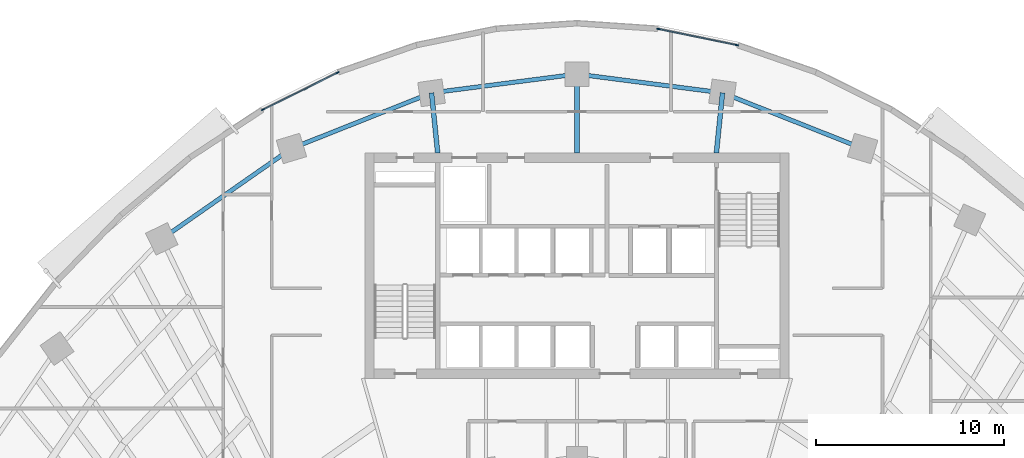
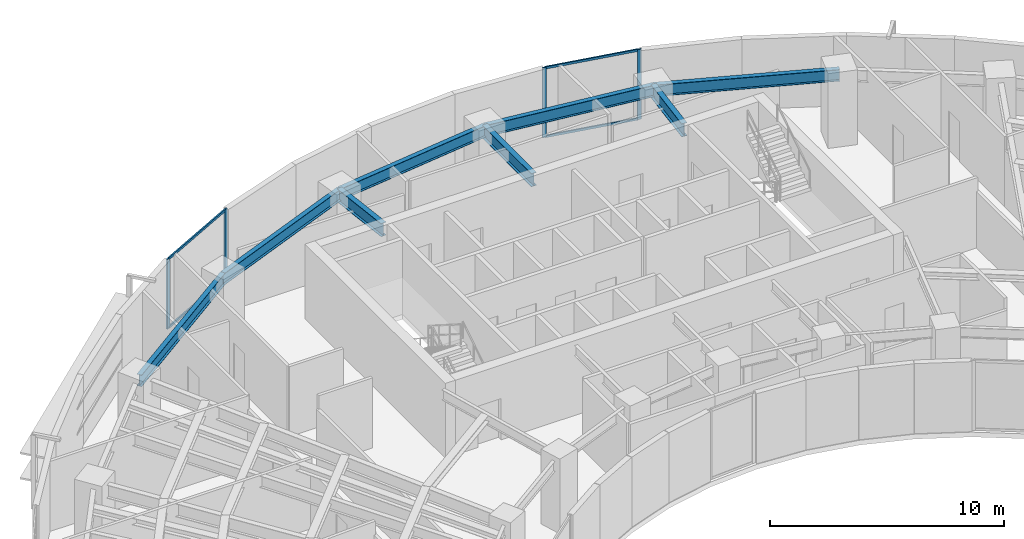
# One storey, part 5 of 13: 8 beams, 8 members, 2 elements without a shape of their own.
"""IFC4 building model written with IfcOpenShell, lengths in metres."""

from ifc_helpers import new_model, si_unit, direction, frame, origin, origin_2d, place, context, subcontext, project, spatial, rectangle, i_section, extrude, source, transform, mapped, material, layer, layer_set, material_profile, profile_set, type_object, element, aggregate, save


model = new_model("IFC4")

# Units and contexts
model_context = context("Model", 3, precision=1e-05, world=origin(), true_north=direction((0.0, 1.0)))
body_context = subcontext(model_context, "Body", "Model", "MODEL_VIEW")
ifc_project = project(units=[si_unit("LENGTHUNIT", "METRE"), si_unit("AREAUNIT", "SQUARE_METRE"), si_unit("VOLUMEUNIT", "CUBIC_METRE"), si_unit("PLANEANGLEUNIT", "RADIAN"), si_unit("MASSUNIT", "GRAM", prefix="KILO")], contexts=[model_context])

# Site, building, storey
site_placement = place(None, origin())
site = spatial("IfcSite", under=ifc_project, at=site_placement, CompositionType="ELEMENT")
building_placement = place(site_placement, origin())
building = spatial("IfcBuilding", under=site, at=building_placement, Name="Breltana Convention Tower", CompositionType="ELEMENT")
storey_placement = place(building_placement, frame((0.0, 0.0, 96.0)))
storey = spatial("IfcBuildingStorey", under=building, at=storey_placement, Name="L22", CompositionType="ELEMENT", Elevation=96.0)

# Beams
ifc_material_1 = material(Name="Steel ASTM A992 Grade 50", Category="steel")
ifc_material_profile_1 = material_profile(ifc_material_1, i_section(OverallWidth=0.25390625, OverallDepth=0.68798828125, WebThickness=0.01318359375, FlangeThickness=0.02099609375, at=origin_2d()), Name="W27X102")
ifc_profile_set_1 = profile_set([ifc_material_profile_1], Name="Steel ASTM A992 Grade 50")
beam_type_1 = type_object("IfcBeamType", Name="BM-RG-W27X102", PredefinedType="USERDEFINED", material=ifc_profile_set_1)
shared_shape_1 = source(origin(), body_context, "Body", "SweptSolid", [
    extrude(i_section(OverallWidth=0.25390625, OverallDepth=0.68798828125, WebThickness=0.01318359375, FlangeThickness=0.02099609375, at=origin_2d()), origin(), (0.0, 0.0, 1.0), 3.220947265625),
])
for number, where, z_axis, x_axis, name in (
    (1, (40.580078125, 72.199951171875, 3.305908203125), (-0.101492254858, 0.994836329355, 0.0), (-0.994836329355, -0.101492254858, 0.0), "L22 North Core Radial Girder R05"),
    (2, (55.419921875, 72.199951171875, 3.305908203125), (0.101492254858, 0.994836329355, 0.0), (-0.994836329355, 0.101492254858, 0.0), "L22 North Core Radial Girder R07"),
):
    element("IfcBeam", number, at=place(storey_placement, frame(where, z_axis=z_axis, x_axis=x_axis)), inside=storey, type_object=beam_type_1, Name=name, ObjectType="GIRDER", PredefinedType="USERDEFINED", context=body_context, shape_type="MappedRepresentation", body=[
        mapped(shared_shape_1, transform((0.0, 0.0, 0.0), scale=1.0)),
    ])
shared_shape_2 = source(origin(), body_context, "Body", "SweptSolid", [
    extrude(i_section(OverallWidth=0.25390625, OverallDepth=0.68798828125, WebThickness=0.01318359375, FlangeThickness=0.02099609375, at=origin_2d()), origin(), (0.0, 0.0, 1.0), 4.2041015625),
])
beam_1_placement = place(storey_placement, frame((48.0, 72.199951171875, 3.305908203125), z_axis=(0.0, 1.0, 0.0), x_axis=(-1.0, 0.0, 0.0)))
element("IfcBeam", 3, at=beam_1_placement, inside=storey, type_object=beam_type_1, Name="L22 North Core Radial Girder R06", ObjectType="GIRDER", PredefinedType="USERDEFINED", context=body_context, shape_type="MappedRepresentation", body=[
    mapped(shared_shape_2, transform((0.0, 0.0, 0.0), scale=1.0)),
])
ifc_material_profile_2 = material_profile(ifc_material_1, i_section(OverallWidth=0.22802734375, OverallDepth=0.60791015625, WebThickness=0.01123046875, FlangeThickness=0.017333984375, at=origin_2d()), Name="W24X76")
ifc_profile_set_2 = profile_set([ifc_material_profile_2], Name="Steel ASTM A992 Grade 50")
beam_type_2 = type_object("IfcBeamType", Name="BM-SP-W24X76", PredefinedType="SPANDREL", material=ifc_profile_set_2)
shared_shape_3 = source(origin(), body_context, "Body", "SweptSolid", [
    extrude(i_section(OverallWidth=0.22802734375, OverallDepth=0.60791015625, WebThickness=0.01123046875, FlangeThickness=0.017333984375, at=origin_2d()), origin(), (0.0, 0.0, 1.0), 8.4169921875),
])
beam_2_placement = place(storey_placement, frame((25.8876953125, 67.626953125, 3.345947265625), z_axis=(0.820173800102, 0.572114444519, 0.0), x_axis=(-0.572114444519, 0.820173800102, 0.0)))
element("IfcBeam", 4, at=beam_2_placement, inside=storey, type_object=beam_type_2, Name="L22 Outer Spandrel Beam 03", PredefinedType="SPANDREL", context=body_context, shape_type="MappedRepresentation", body=[
    mapped(shared_shape_3, transform((0.0, 0.0, 0.0), scale=1.0)),
])
shared_shape_4 = source(origin(), body_context, "Body", "SweptSolid", [
    extrude(i_section(OverallWidth=0.22802734375, OverallDepth=0.60791015625, WebThickness=0.01123046875, FlangeThickness=0.017333984375, at=origin_2d()), origin(), (0.0, 0.0, 1.0), 8.028564453125),
])
for number, where, z_axis, x_axis, name in (
    (5, (32.791015625, 72.4423828125, 3.345947265625), (0.929459100394, 0.368925169507, 0.0), (-0.368925169507, 0.929459100394, 0.0), "L22 Outer Spandrel Beam 04"),
    (6, (55.746826171875, 75.404296875, 3.345947265625), (0.929459100394, -0.368925169507, 0.0), (0.368925169507, 0.929459100394, 0.0), "L22 Outer Spandrel Beam 07"),
):
    element("IfcBeam", number, at=place(storey_placement, frame(where, z_axis=z_axis, x_axis=x_axis)), inside=storey, type_object=beam_type_2, Name=name, PredefinedType="SPANDREL", context=body_context, shape_type="MappedRepresentation", body=[
        mapped(shared_shape_4, transform((0.0, 0.0, 0.0), scale=1.0)),
    ])
shared_shape_5 = source(origin(), body_context, "Body", "SweptSolid", [
    extrude(i_section(OverallWidth=0.22802734375, OverallDepth=0.60791015625, WebThickness=0.01123046875, FlangeThickness=0.017333984375, at=origin_2d()), origin(), (0.0, 0.0, 1.0), 7.81103515625),
])
for number, where, z_axis, x_axis, name in (
    (7, (40.253173828125, 75.404296875, 3.345947265625), (0.991775179127, 0.127992164083, 0.0), (-0.127992164083, 0.991775179127, 0.0), "L22 Outer Spandrel Beam 05"),
    (8, (48.0, 76.404052734375, 3.345947265625), (0.991775179127, -0.127992164083, 0.0), (0.127992164083, 0.991775179127, 0.0), "L22 Outer Spandrel Beam 06"),
):
    element("IfcBeam", number, at=place(storey_placement, frame(where, z_axis=z_axis, x_axis=x_axis)), inside=storey, type_object=beam_type_2, Name=name, PredefinedType="SPANDREL", context=body_context, shape_type="MappedRepresentation", body=[
        mapped(shared_shape_5, transform((0.0, 0.0, 0.0), scale=1.0)),
    ])

# Curtain wall, members
ifc_material_2 = material(Name="Aluminium Anodised Bronze Frame", Category="aluminium")
ifc_layer = layer(ifc_material_2, 0.22998046875, Name="Aluminium Anodised Bronze Frame")
ifc_layer_set = layer_set([ifc_layer], Name="Aluminium Anodised Bronze Frame")
curtain_wall_type = type_object("IfcCurtainWallType", Name="CW-SYS-5", PredefinedType="NOTDEFINED", material=ifc_layer_set)
curtain_wall_1_placement = place(storey_placement, origin())
curtain_wall_1 = element("IfcCurtainWall", 9, at=curtain_wall_1_placement, inside=storey, type_object=curtain_wall_type, Name="L22 outer double-skin inner glazing 2", PredefinedType="NOTDEFINED")
ifc_material_3 = material(Name="Aluminium Anodised Bronze", Category="aluminium")
ifc_material_profile_3 = material_profile(ifc_material_3, rectangle(XDim=0.070068359375, YDim=0.175048828125, at=origin_2d()), Name="CWM-70X175")
ifc_profile_set_3 = profile_set([ifc_material_profile_3], Name="Aluminium Anodised Bronze")
member_type_1 = type_object("IfcMemberType", Name="CWM-175", PredefinedType="MULLION", material=ifc_profile_set_3)
shared_shape_6 = source(origin(), body_context, "Body", "SweptSolid", [
    extrude(rectangle(XDim=0.070068359375, YDim=0.175048828125, at=origin_2d()), origin(), (0.0, 0.0, 1.0), 3.64990234375),
])
member_1_placement = place(storey_placement, frame((31.280029296875, 74.511962890625, 0.0), z_axis=(0.0, 0.0, 1.0), x_axis=(-0.444121541007, 0.895966548937, 0.0)))
member_1 = element("IfcMember", 10, at=member_1_placement, type_object=member_type_1, Name="CW-05 mullion 1", PredefinedType="MULLION", context=body_context, shape_type="MappedRepresentation", body=[
    mapped(shared_shape_6, transform((0.0, 0.0, 0.0), scale=1.0)),
])
member_2_placement = place(storey_placement, frame((35.25439453125, 76.48193359375, 0.0), z_axis=(0.0, 0.0, 1.0), x_axis=(-0.444121541007, 0.895966548937, 0.0)))
member_2 = element("IfcMember", 11, at=member_2_placement, type_object=member_type_1, Name="CW-05 mullion 2", PredefinedType="MULLION", context=body_context, shape_type="MappedRepresentation", body=[
    mapped(shared_shape_6, transform((0.0, 0.0, 0.0), scale=1.0)),
])

curtain_wall_2_placement = place(storey_placement, origin())
curtain_wall_2 = element("IfcCurtainWall", 12, at=curtain_wall_2_placement, inside=storey, type_object=curtain_wall_type, Name="L22 outer double-skin inner glazing 3", PredefinedType="NOTDEFINED")
member_3_placement = place(storey_placement, frame((52.330078125, 78.805908203125, 0.0), z_axis=(0.0, 0.0, 1.0), x_axis=(0.200858550415, 0.979620254346, 0.0)))
member_3 = element("IfcMember", 13, at=member_3_placement, type_object=member_type_1, Name="CW-05 mullion 1", PredefinedType="MULLION", context=body_context, shape_type="MappedRepresentation", body=[
    mapped(shared_shape_6, transform((0.0, 0.0, 0.0), scale=1.0)),
])
member_4_placement = place(storey_placement, frame((56.513916015625, 77.947998046875, 0.0), z_axis=(0.0, 0.0, 1.0), x_axis=(0.200858550415, 0.979620254346, 0.0)))
member_4 = element("IfcMember", 14, at=member_4_placement, type_object=member_type_1, Name="CW-05 mullion 2", PredefinedType="MULLION", context=body_context, shape_type="MappedRepresentation", body=[
    mapped(shared_shape_6, transform((0.0, 0.0, 0.0), scale=1.0)),
])

# Member
ifc_material_profile_4 = material_profile(ifc_material_3, rectangle(XDim=0.070068359375, YDim=0.1201171875, at=origin_2d()), Name="CWT-70X120")
ifc_profile_set_4 = profile_set([ifc_material_profile_4], Name="Aluminium Anodised Bronze")
member_type_2 = type_object("IfcMemberType", Name="CWT-120", PredefinedType="USERDEFINED", material=ifc_profile_set_4)
shared_shape_7 = source(origin(), body_context, "Body", "SweptSolid", [
    extrude(rectangle(XDim=0.070068359375, YDim=0.1201171875, at=origin_2d()), origin(), (0.0, 0.0, 1.0), 4.365478515625),
])
member_5_placement = place(storey_placement, frame((31.3115234375, 74.52734375, 0.034912109375), z_axis=(0.89595425125, 0.44414634938, 0.0), x_axis=(-0.44414634938, 0.89595425125, 0.0)))
member_5 = element("IfcMember", 15, at=member_5_placement, type_object=member_type_2, Name="CW-05 transom 1.1", ObjectType="TRANSOM", PredefinedType="USERDEFINED", context=body_context, shape_type="MappedRepresentation", body=[
    mapped(shared_shape_7, transform((0.0, 0.0, 0.0), scale=1.0)),
])

member_6_placement = place(storey_placement, frame((31.3115234375, 74.52734375, 3.614990234375), z_axis=(0.89595425125, 0.44414634938, 0.0), x_axis=(-0.44414634938, 0.89595425125, 0.0)))
member_6 = element("IfcMember", 16, at=member_6_placement, type_object=member_type_2, Name="CW-05 transom 1.2", ObjectType="TRANSOM", PredefinedType="USERDEFINED", context=body_context, shape_type="MappedRepresentation", body=[
    mapped(shared_shape_7, transform((0.0, 0.0, 0.0), scale=1.0)),
])

aggregate(curtain_wall_1, [member_1, member_2, member_5, member_6])

shared_shape_8 = source(origin(), body_context, "Body", "SweptSolid", [
    extrude(rectangle(XDim=0.070068359375, YDim=0.1201171875, at=origin_2d()), origin(), (0.0, 0.0, 1.0), 4.200927734375),
])
member_7_placement = place(storey_placement, frame((52.364501953125, 78.798828125, 0.034912109375), z_axis=(0.979621469833, -0.200852622196, 0.0), x_axis=(0.200852622196, 0.979621469833, 0.0)))
member_7 = element("IfcMember", 17, at=member_7_placement, type_object=member_type_2, Name="CW-05 transom 1.1", ObjectType="TRANSOM", PredefinedType="USERDEFINED", context=body_context, shape_type="MappedRepresentation", body=[
    mapped(shared_shape_8, transform((0.0, 0.0, 0.0), scale=1.0)),
])

member_8_placement = place(storey_placement, frame((52.364501953125, 78.798828125, 3.614990234375), z_axis=(0.979621469833, -0.200852622196, 0.0), x_axis=(0.200852622196, 0.979621469833, 0.0)))
member_8 = element("IfcMember", 18, at=member_8_placement, type_object=member_type_2, Name="CW-05 transom 1.2", ObjectType="TRANSOM", PredefinedType="USERDEFINED", context=body_context, shape_type="MappedRepresentation", body=[
    mapped(shared_shape_8, transform((0.0, 0.0, 0.0), scale=1.0)),
])

aggregate(curtain_wall_2, [member_3, member_4, member_7, member_8])

save(model, "model.ifc")
